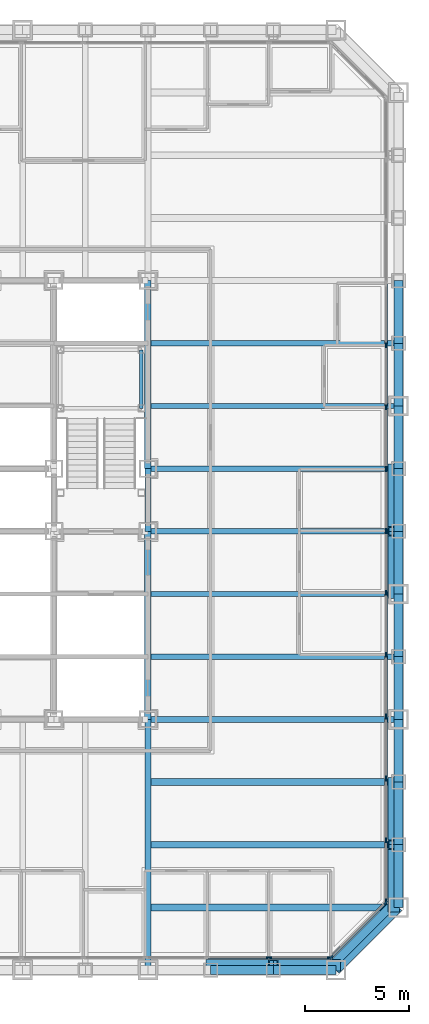
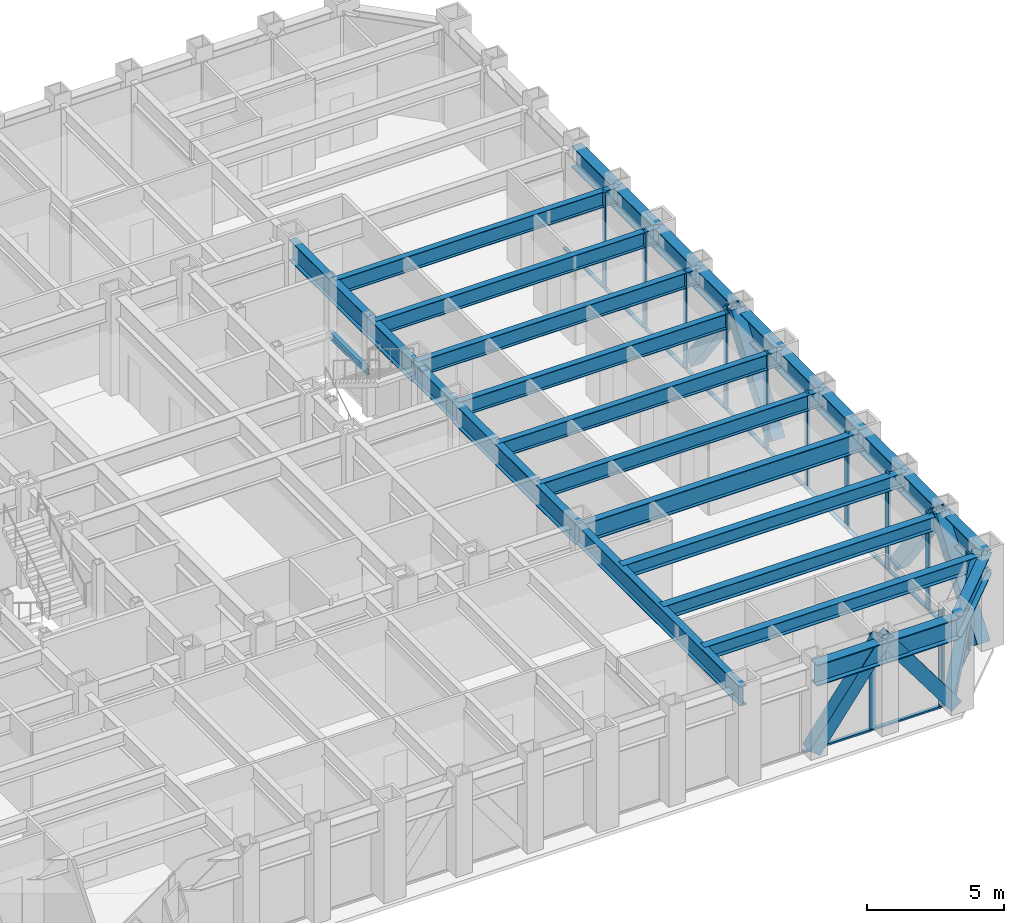
# One storey, part 4 of 16: 34 members, 28 beams, 3 elements without a shape of their own.
"""IFC4 building model written with IfcOpenShell, lengths in metres."""

from ifc_helpers import new_model, si_unit, direction, frame, origin, origin_2d, place, context, subcontext, project, spatial, rectangle, hollow_rectangle, i_section, extrude, material, layer, layer_set, material_profile, profile_set, type_object, element, aggregate, save


model = new_model("IFC4")

# Units and contexts
model_context = context("Model", 3, precision=1e-05, world=origin(), true_north=direction((0.0, 1.0)))
body_context = subcontext(model_context, "Body", "Model", "MODEL_VIEW")
ifc_project = project(units=[si_unit("LENGTHUNIT", "METRE"), si_unit("AREAUNIT", "SQUARE_METRE"), si_unit("VOLUMEUNIT", "CUBIC_METRE"), si_unit("PLANEANGLEUNIT", "RADIAN"), si_unit("MASSUNIT", "GRAM", prefix="KILO")], contexts=[model_context])

# Site, building, storey
site_placement = place(None, origin())
site = spatial("IfcSite", under=ifc_project, at=site_placement, CompositionType="ELEMENT")
building_placement = place(site_placement, origin())
building = spatial("IfcBuilding", under=site, at=building_placement, Name="Chuquiago Exchange Tower", CompositionType="ELEMENT")
storey_placement = place(building_placement, frame((0.0, 0.0, 55.800048828125)))
storey = spatial("IfcBuildingStorey", under=building, at=storey_placement, Name="L11", CompositionType="ELEMENT", Elevation=55.800048828125)

# Beams
ifc_material_1 = material(Name="Steel ASTM A992", Category="steel")
ifc_material_profile_1 = material_profile(ifc_material_1, i_section(OverallWidth=0.307373046875, OverallDepth=0.927001953125, WebThickness=0.01953125, FlangeThickness=0.031982421875, at=origin_2d()), Name="W36X194")
ifc_profile_set_1 = profile_set([ifc_material_profile_1], Name="Steel ASTM A992")
beam_type_1 = type_object("IfcBeamType", Name="B10 W36X194", PredefinedType="BEAM", material=ifc_profile_set_1)
for number, where, z_axis, x_axis, name in (
    (1, (33.0, 12.0, 3.576416015625), (0.0, 1.0, 0.0), (-1.0, 0.0, 0.0), "CB-L12-33_12-33_21"),
    (2, (33.0, 24.0, 3.576416015625), (0.0, 1.0, 0.0), (-1.0, 0.0, 0.0), "CB-L12-33_24-33_33"),
):
    element("IfcBeam", number, at=place(storey_placement, frame(where, z_axis=z_axis, x_axis=x_axis)), inside=storey, type_object=beam_type_1, Name=name, PredefinedType="BEAM", context=body_context, shape_type="SweptSolid", body=[
        extrude(i_section(OverallWidth=0.307373046875, OverallDepth=0.927001953125, WebThickness=0.01953125, FlangeThickness=0.031982421875, at=origin_2d()), origin(), (0.0, 0.0, 1.0), 9.0),
    ])
ifc_material_2 = material(Name="Steel ASTM A992", Category="steel")
ifc_material_profile_2 = material_profile(ifc_material_2, i_section(OverallWidth=0.2919921875, OverallDepth=0.8583984375, WebThickness=0.01708984375, FlangeThickness=0.031005859375, at=origin_2d()), Name="W33X169")
ifc_profile_set_2 = profile_set([ifc_material_profile_2], Name="Steel ASTM A992")
beam_type_2 = type_object("IfcBeamType", Name="B3 W33X169", PredefinedType="BEAM", material=ifc_profile_set_2)
beam_1_placement = place(storey_placement, frame((33.0, 21.0, 3.610595703125), z_axis=(0.0, 1.0, 0.0), x_axis=(-1.0, 0.0, 0.0)))
element("IfcBeam", 3, at=beam_1_placement, inside=storey, type_object=beam_type_2, Name="CB-L12-33_21-33_24", PredefinedType="BEAM", context=body_context, shape_type="SweptSolid", body=[
    extrude(i_section(OverallWidth=0.2919921875, OverallDepth=0.8583984375, WebThickness=0.01708984375, FlangeThickness=0.031005859375, at=origin_2d()), origin(), (0.0, 0.0, 1.0), 3.0),
])
ifc_material_3 = material(Name="Steel ASTM A992", Category="steel")
ifc_material_profile_3 = material_profile(ifc_material_3, i_section(OverallWidth=0.256591796875, OverallDepth=0.693359375, WebThickness=0.014404296875, FlangeThickness=0.023681640625, at=origin_2d()), Name="W27X114")
ifc_profile_set_3 = profile_set([ifc_material_profile_3], Name="Steel ASTM A992")
beam_type_3 = type_object("IfcBeamType", Name="B4 W27X114", PredefinedType="BEAM", material=ifc_profile_set_3)
for number, where, z_axis, x_axis, name in (
    (4, (33.0, 15.0, 3.693359375), (1.0, 0.0, 0.0), (0.0, 1.0, 0.0), "FB-L12-infill-33_15-45_15-0"),
    (5, (33.0, 18.0, 3.693359375), (1.0, 0.0, 0.0), (0.0, 1.0, 0.0), "FB-L12-infill-33_18-45_18-0"),
    (6, (33.0, 21.0, 3.693359375), (1.0, 0.0, 0.0), (0.0, 1.0, 0.0), "FB-L12-infill-33_21-45_21-0"),
    (7, (33.0, 24.0, 3.693359375), (1.0, 0.0, 0.0), (0.0, 1.0, 0.0), "FB-L12-infill-33_24-45_24-0"),
    (8, (33.0, 27.0, 3.693359375), (1.0, 0.0, 0.0), (0.0, 1.0, 0.0), "FB-L12-infill-33_27-45_27-0"),
    (9, (33.0, 30.0, 3.693359375), (1.0, 0.0, 0.0), (0.0, 1.0, 0.0), "FB-L12-infill-33_30-45_30-0"),
):
    element("IfcBeam", number, at=place(storey_placement, frame(where, z_axis=z_axis, x_axis=x_axis)), inside=storey, type_object=beam_type_3, Name=name, PredefinedType="BEAM", context=body_context, shape_type="SweptSolid", body=[
        extrude(i_section(OverallWidth=0.256591796875, OverallDepth=0.693359375, WebThickness=0.014404296875, FlangeThickness=0.023681640625, at=origin_2d()), origin(), (0.0, 0.0, 1.0), 12.0),
    ])
ifc_material_4 = material(Name="Steel ASTM A992", Category="steel")
ifc_material_profile_4 = material_profile(ifc_material_4, i_section(OverallWidth=0.3251953125, OverallDepth=0.6171875, WebThickness=0.013916015625, FlangeThickness=0.021484375, at=origin_2d()), Name="W24X117")
ifc_profile_set_4 = profile_set([ifc_material_profile_4], Name="Steel ASTM A992")
beam_type_4 = type_object("IfcBeamType", Name="B5 W24X117", PredefinedType="BEAM", material=ifc_profile_set_4)
for number, where, z_axis, x_axis, name in (
    (10, (33.0, 3.0, 3.7314453125), (1.0, 0.0, 0.0), (0.0, 1.0, 0.0), "FB-L12-corner-33_3-45_3-0"),
    (11, (33.0, 6.0, 3.7314453125), (1.0, 0.0, 0.0), (0.0, 1.0, 0.0), "FB-L12-corner-33_6-45_6-0"),
    (12, (33.0, 9.0, 3.7314453125), (1.0, 0.0, 0.0), (0.0, 1.0, 0.0), "FB-L12-corner-33_9-45_9-0"),
):
    element("IfcBeam", number, at=place(storey_placement, frame(where, z_axis=z_axis, x_axis=x_axis)), inside=storey, type_object=beam_type_4, Name=name, PredefinedType="BEAM", context=body_context, shape_type="SweptSolid", body=[
        extrude(i_section(OverallWidth=0.3251953125, OverallDepth=0.6171875, WebThickness=0.013916015625, FlangeThickness=0.021484375, at=origin_2d()), origin(), (0.0, 0.0, 1.0), 12.0),
    ])

# Curtain wall, members
ifc_material_5 = material(Name="Aluminium curtain wall system", Category="aluminium")
ifc_layer_1 = layer(ifc_material_5, 0.25)
ifc_layer_set_1 = layer_set([ifc_layer_1], Name="CW1 trading floor curtain wall")
curtain_wall_type_1 = type_object("IfcCurtainWallType", Name="CW1 trading floor curtain wall", PredefinedType="NOTDEFINED", material=ifc_layer_set_1)
curtain_wall_1_placement = place(storey_placement, origin())
curtain_wall_1 = element("IfcCurtainWall", 13, at=curtain_wall_1_placement, inside=storey, type_object=curtain_wall_type_1, Name="CW1 curtain wall L11", PredefinedType="NOTDEFINED")
ifc_material_6 = material(Name="Aluminium mullion, pale anodised", Category="aluminium")
ifc_material_profile_5 = material_profile(ifc_material_6, rectangle(XDim=0.074951171875, YDim=0.25, at=origin_2d()), Name="AL 75x250")
ifc_profile_set_5 = profile_set([ifc_material_profile_5], Name="Aluminium mullion, pale anodised")
member_type_1 = type_object("IfcMemberType", Name="CW1-M mullion 75x250", PredefinedType="MULLION", material=ifc_profile_set_5)
member_1_placement = place(storey_placement, frame((38.789794921875, 0.60009765625, -0.300048828125), z_axis=(0.0, 0.0, 1.0), x_axis=(0.0, 1.0, 0.0)))
member_1 = element("IfcMember", 14, at=member_1_placement, type_object=member_type_1, Name="CW1 mullion 13", PredefinedType="MULLION", context=body_context, shape_type="SweptSolid", body=[
    extrude(rectangle(XDim=0.074951171875, YDim=0.25, at=origin_2d()), origin(), (0.0, 0.0, 1.0), 4.340087890625),
])
member_2_placement = place(storey_placement, frame((41.714111328125, 0.60009765625, -0.300048828125), z_axis=(0.0, 0.0, 1.0), x_axis=(0.0, 1.0, 0.0)))
member_2 = element("IfcMember", 15, at=member_2_placement, type_object=member_type_1, Name="CW1 mullion 14", PredefinedType="MULLION", context=body_context, shape_type="SweptSolid", body=[
    extrude(rectangle(XDim=0.074951171875, YDim=0.25, at=origin_2d()), origin(), (0.0, 0.0, 1.0), 4.340087890625),
])

curtain_wall_2_placement = place(storey_placement, origin())
curtain_wall_2 = element("IfcCurtainWall", 16, at=curtain_wall_2_placement, inside=storey, type_object=curtain_wall_type_1, Name="CW1 curtain wall L11", PredefinedType="NOTDEFINED")
member_3_placement = place(storey_placement, frame((44.39990234375, 3.285888671875, -0.300048828125), z_axis=(0.0, 0.0, 1.0), x_axis=(-1.0, 0.0, 0.0)))
member_3 = element("IfcMember", 17, at=member_3_placement, type_object=member_type_1, Name="CW1 mullion 1", PredefinedType="MULLION", context=body_context, shape_type="SweptSolid", body=[
    extrude(rectangle(XDim=0.074951171875, YDim=0.25, at=origin_2d()), origin(), (0.0, 0.0, 1.0), 4.340087890625),
])
member_4_placement = place(storey_placement, frame((44.39990234375, 6.210205078125, -0.300048828125), z_axis=(0.0, 0.0, 1.0), x_axis=(-1.0, 0.0, 0.0)))
member_4 = element("IfcMember", 18, at=member_4_placement, type_object=member_type_1, Name="CW1 mullion 2", PredefinedType="MULLION", context=body_context, shape_type="SweptSolid", body=[
    extrude(rectangle(XDim=0.074951171875, YDim=0.25, at=origin_2d()), origin(), (0.0, 0.0, 1.0), 4.340087890625),
])
member_5_placement = place(storey_placement, frame((44.39990234375, 9.172119140625, -0.300048828125), z_axis=(0.0, 0.0, 1.0), x_axis=(-1.0, 0.0, 0.0)))
member_5 = element("IfcMember", 19, at=member_5_placement, type_object=member_type_1, Name="CW1 mullion 3", PredefinedType="MULLION", context=body_context, shape_type="SweptSolid", body=[
    extrude(rectangle(XDim=0.074951171875, YDim=0.25, at=origin_2d()), origin(), (0.0, 0.0, 1.0), 4.340087890625),
])
member_6_placement = place(storey_placement, frame((44.39990234375, 12.1337890625, -0.300048828125), z_axis=(0.0, 0.0, 1.0), x_axis=(-1.0, 0.0, 0.0)))
member_6 = element("IfcMember", 20, at=member_6_placement, type_object=member_type_1, Name="CW1 mullion 4", PredefinedType="MULLION", context=body_context, shape_type="SweptSolid", body=[
    extrude(rectangle(XDim=0.074951171875, YDim=0.25, at=origin_2d()), origin(), (0.0, 0.0, 1.0), 4.340087890625),
])
member_7_placement = place(storey_placement, frame((44.39990234375, 15.095458984375, -0.300048828125), z_axis=(0.0, 0.0, 1.0), x_axis=(-1.0, 0.0, 0.0)))
member_7 = element("IfcMember", 21, at=member_7_placement, type_object=member_type_1, Name="CW1 mullion 5", PredefinedType="MULLION", context=body_context, shape_type="SweptSolid", body=[
    extrude(rectangle(XDim=0.074951171875, YDim=0.25, at=origin_2d()), origin(), (0.0, 0.0, 1.0), 4.340087890625),
])
member_8_placement = place(storey_placement, frame((44.39990234375, 18.057373046875, -0.300048828125), z_axis=(0.0, 0.0, 1.0), x_axis=(-1.0, 0.0, 0.0)))
member_8 = element("IfcMember", 22, at=member_8_placement, type_object=member_type_1, Name="CW1 mullion 6", PredefinedType="MULLION", context=body_context, shape_type="SweptSolid", body=[
    extrude(rectangle(XDim=0.074951171875, YDim=0.25, at=origin_2d()), origin(), (0.0, 0.0, 1.0), 4.340087890625),
])
member_9_placement = place(storey_placement, frame((44.39990234375, 21.01904296875, -0.300048828125), z_axis=(0.0, 0.0, 1.0), x_axis=(-1.0, 0.0, 0.0)))
member_9 = element("IfcMember", 23, at=member_9_placement, type_object=member_type_1, Name="CW1 mullion 7", PredefinedType="MULLION", context=body_context, shape_type="SweptSolid", body=[
    extrude(rectangle(XDim=0.074951171875, YDim=0.25, at=origin_2d()), origin(), (0.0, 0.0, 1.0), 4.340087890625),
])
member_10_placement = place(storey_placement, frame((44.39990234375, 23.98095703125, -0.300048828125), z_axis=(0.0, 0.0, 1.0), x_axis=(-1.0, 0.0, 0.0)))
member_10 = element("IfcMember", 24, at=member_10_placement, type_object=member_type_1, Name="CW1 mullion 8", PredefinedType="MULLION", context=body_context, shape_type="SweptSolid", body=[
    extrude(rectangle(XDim=0.074951171875, YDim=0.25, at=origin_2d()), origin(), (0.0, 0.0, 1.0), 4.340087890625),
])
member_11_placement = place(storey_placement, frame((44.39990234375, 26.942626953125, -0.300048828125), z_axis=(0.0, 0.0, 1.0), x_axis=(-1.0, 0.0, 0.0)))
member_11 = element("IfcMember", 25, at=member_11_placement, type_object=member_type_1, Name="CW1 mullion 9", PredefinedType="MULLION", context=body_context, shape_type="SweptSolid", body=[
    extrude(rectangle(XDim=0.074951171875, YDim=0.25, at=origin_2d()), origin(), (0.0, 0.0, 1.0), 4.340087890625),
])
member_12_placement = place(storey_placement, frame((44.39990234375, 29.904541015625, -0.300048828125), z_axis=(0.0, 0.0, 1.0), x_axis=(-1.0, 0.0, 0.0)))
member_12 = element("IfcMember", 26, at=member_12_placement, type_object=member_type_1, Name="CW1 mullion 10", PredefinedType="MULLION", context=body_context, shape_type="SweptSolid", body=[
    extrude(rectangle(XDim=0.074951171875, YDim=0.25, at=origin_2d()), origin(), (0.0, 0.0, 1.0), 4.340087890625),
])

# Member
ifc_material_7 = material(Name="Aluminium transom, pale anodised", Category="aluminium")
ifc_material_profile_6 = material_profile(ifc_material_7, rectangle(XDim=0.14990234375, YDim=0.074951171875, at=origin_2d()), Name="AL 150x75")
ifc_profile_set_6 = profile_set([ifc_material_profile_6], Name="Aluminium transom, pale anodised")
member_type_2 = type_object("IfcMemberType", Name="CW1-T transom 75x150", PredefinedType="MULLION", material=ifc_profile_set_6)
member_13_placement = place(storey_placement, frame((35.865478515625, 0.60009765625, -0.262451171875), z_axis=(1.0, 0.0, 0.0), x_axis=(0.0, 1.0, 0.0)))
member_13 = element("IfcMember", 27, at=member_13_placement, type_object=member_type_2, Name="CW1 transom 12.1", PredefinedType="MULLION", context=body_context, shape_type="SweptSolid", body=[
    extrude(rectangle(XDim=0.14990234375, YDim=0.074951171875, at=origin_2d()), origin(), (0.0, 0.0, 1.0), 2.88671875),
])

member_14_placement = place(storey_placement, frame((38.8271484375, 0.60009765625, -0.262451171875), z_axis=(1.0, 0.0, 0.0), x_axis=(0.0, 1.0, 0.0)))
member_14 = element("IfcMember", 28, at=member_14_placement, type_object=member_type_2, Name="CW1 transom 13.1", PredefinedType="MULLION", context=body_context, shape_type="SweptSolid", body=[
    extrude(rectangle(XDim=0.14990234375, YDim=0.074951171875, at=origin_2d()), origin(), (0.0, 0.0, 1.0), 2.849365234375),
])

aggregate(curtain_wall_1, [member_1, member_2, member_13, member_14])

member_15_placement = place(storey_placement, frame((44.39990234375, 3.323486328125, -0.262451171875), z_axis=(0.0, 1.0, 0.0), x_axis=(-1.0, 0.0, 0.0)))
member_15 = element("IfcMember", 29, at=member_15_placement, type_object=member_type_2, Name="CW1 transom 1.1", PredefinedType="MULLION", context=body_context, shape_type="SweptSolid", body=[
    extrude(rectangle(XDim=0.14990234375, YDim=0.074951171875, at=origin_2d()), origin(), (0.0, 0.0, 1.0), 2.849365234375),
])

member_16_placement = place(storey_placement, frame((44.39990234375, 6.247802734375, -0.262451171875), z_axis=(0.0, 1.0, 0.0), x_axis=(-1.0, 0.0, 0.0)))
member_16 = element("IfcMember", 30, at=member_16_placement, type_object=member_type_2, Name="CW1 transom 2.1", PredefinedType="MULLION", context=body_context, shape_type="SweptSolid", body=[
    extrude(rectangle(XDim=0.14990234375, YDim=0.074951171875, at=origin_2d()), origin(), (0.0, 0.0, 1.0), 2.88671875),
])

member_17_placement = place(storey_placement, frame((44.39990234375, 9.20947265625, -0.262451171875), z_axis=(0.0, 1.0, 0.0), x_axis=(-1.0, 0.0, 0.0)))
member_17 = element("IfcMember", 31, at=member_17_placement, type_object=member_type_2, Name="CW1 transom 3.1", PredefinedType="MULLION", context=body_context, shape_type="SweptSolid", body=[
    extrude(rectangle(XDim=0.14990234375, YDim=0.074951171875, at=origin_2d()), origin(), (0.0, 0.0, 1.0), 2.88671875),
])

member_18_placement = place(storey_placement, frame((44.39990234375, 12.17138671875, -0.262451171875), z_axis=(0.0, 1.0, 0.0), x_axis=(-1.0, 0.0, 0.0)))
member_18 = element("IfcMember", 32, at=member_18_placement, type_object=member_type_2, Name="CW1 transom 4.1", PredefinedType="MULLION", context=body_context, shape_type="SweptSolid", body=[
    extrude(rectangle(XDim=0.14990234375, YDim=0.074951171875, at=origin_2d()), origin(), (0.0, 0.0, 1.0), 2.88671875),
])

member_19_placement = place(storey_placement, frame((44.39990234375, 15.133056640625, -0.262451171875), z_axis=(0.0, 1.0, 0.0), x_axis=(-1.0, 0.0, 0.0)))
member_19 = element("IfcMember", 33, at=member_19_placement, type_object=member_type_2, Name="CW1 transom 5.1", PredefinedType="MULLION", context=body_context, shape_type="SweptSolid", body=[
    extrude(rectangle(XDim=0.14990234375, YDim=0.074951171875, at=origin_2d()), origin(), (0.0, 0.0, 1.0), 2.88671875),
])

member_20_placement = place(storey_placement, frame((44.39990234375, 18.0947265625, -0.262451171875), z_axis=(0.0, 1.0, 0.0), x_axis=(-1.0, 0.0, 0.0)))
member_20 = element("IfcMember", 34, at=member_20_placement, type_object=member_type_2, Name="CW1 transom 6.1", PredefinedType="MULLION", context=body_context, shape_type="SweptSolid", body=[
    extrude(rectangle(XDim=0.14990234375, YDim=0.074951171875, at=origin_2d()), origin(), (0.0, 0.0, 1.0), 2.886962890625),
])

member_21_placement = place(storey_placement, frame((44.39990234375, 21.056640625, -0.262451171875), z_axis=(0.0, 1.0, 0.0), x_axis=(-1.0, 0.0, 0.0)))
member_21 = element("IfcMember", 35, at=member_21_placement, type_object=member_type_2, Name="CW1 transom 7.1", PredefinedType="MULLION", context=body_context, shape_type="SweptSolid", body=[
    extrude(rectangle(XDim=0.14990234375, YDim=0.074951171875, at=origin_2d()), origin(), (0.0, 0.0, 1.0), 2.88671875),
])

member_22_placement = place(storey_placement, frame((44.39990234375, 24.018310546875, -0.262451171875), z_axis=(0.0, 1.0, 0.0), x_axis=(-1.0, 0.0, 0.0)))
member_22 = element("IfcMember", 36, at=member_22_placement, type_object=member_type_2, Name="CW1 transom 8.1", PredefinedType="MULLION", context=body_context, shape_type="SweptSolid", body=[
    extrude(rectangle(XDim=0.14990234375, YDim=0.074951171875, at=origin_2d()), origin(), (0.0, 0.0, 1.0), 2.886962890625),
])

member_23_placement = place(storey_placement, frame((44.39990234375, 26.980224609375, -0.262451171875), z_axis=(0.0, 1.0, 0.0), x_axis=(-1.0, 0.0, 0.0)))
member_23 = element("IfcMember", 37, at=member_23_placement, type_object=member_type_2, Name="CW1 transom 9.1", PredefinedType="MULLION", context=body_context, shape_type="SweptSolid", body=[
    extrude(rectangle(XDim=0.14990234375, YDim=0.074951171875, at=origin_2d()), origin(), (0.0, 0.0, 1.0), 2.88671875),
])

member_24_placement = place(storey_placement, frame((44.39990234375, 29.94189453125, -0.262451171875), z_axis=(0.0, 1.0, 0.0), x_axis=(-1.0, 0.0, 0.0)))
member_24 = element("IfcMember", 38, at=member_24_placement, type_object=member_type_2, Name="CW1 transom 10.1", PredefinedType="MULLION", context=body_context, shape_type="SweptSolid", body=[
    extrude(rectangle(XDim=0.14990234375, YDim=0.074951171875, at=origin_2d()), origin(), (0.0, 0.0, 1.0), 2.88671875),
])

aggregate(curtain_wall_2, [member_3, member_4, member_5, member_6, member_7, member_8, member_9, member_10, member_11, member_12, member_15, member_16, member_17, member_18, member_19, member_20, member_21, member_22, member_23, member_24])

# Curtain wall, members
ifc_material_8 = material(Name="Aluminium curtain wall system", Category="aluminium")
ifc_layer_2 = layer(ifc_material_8, 0.199951171875)
ifc_layer_set_2 = layer_set([ifc_layer_2], Name="CW3 facet curtain wall")
curtain_wall_type_2 = type_object("IfcCurtainWallType", Name="CW3 facet curtain wall", PredefinedType="NOTDEFINED", material=ifc_layer_set_2)
curtain_wall_3_placement = place(storey_placement, origin())
curtain_wall_3 = element("IfcCurtainWall", 39, at=curtain_wall_3_placement, inside=storey, type_object=curtain_wall_type_2, Name="CW3 curtain wall L11", PredefinedType="NOTDEFINED")
ifc_material_9 = material(Name="Aluminium mullion, pale anodised", Category="aluminium")
ifc_material_profile_7 = material_profile(ifc_material_9, rectangle(XDim=0.06494140625, YDim=0.199951171875, at=origin_2d()), Name="AL 65x200")
ifc_profile_set_7 = profile_set([ifc_material_profile_7], Name="Aluminium mullion, pale anodised")
member_type_3 = type_object("IfcMemberType", Name="CW3-M mullion 65x200", PredefinedType="MULLION", material=ifc_profile_set_7)
member_25_placement = place(storey_placement, frame((41.7744140625, 0.623046875, -0.300048828125), z_axis=(0.0, 0.0, 1.0), x_axis=(-0.707106781187, 0.707106781187, 0.0)))
member_25 = element("IfcMember", 40, at=member_25_placement, type_object=member_type_3, Name="CW3 mullion 1", PredefinedType="MULLION", context=body_context, shape_type="SweptSolid", body=[
    extrude(rectangle(XDim=0.06494140625, YDim=0.199951171875, at=origin_2d()), origin(), (0.0, 0.0, 1.0), 4.340087890625),
])
member_26_placement = place(storey_placement, frame((44.376953125, 3.2255859375, -0.300048828125), z_axis=(0.0, 0.0, 1.0), x_axis=(-0.707106781187, 0.707106781187, 0.0)))
member_26 = element("IfcMember", 41, at=member_26_placement, type_object=member_type_3, Name="CW3 mullion 2", PredefinedType="MULLION", context=body_context, shape_type="SweptSolid", body=[
    extrude(rectangle(XDim=0.06494140625, YDim=0.199951171875, at=origin_2d()), origin(), (0.0, 0.0, 1.0), 4.340087890625),
])
ifc_material_10 = material(Name="Aluminium transom, pale anodised", Category="aluminium")
ifc_material_profile_8 = material_profile(ifc_material_10, rectangle(XDim=0.139892578125, YDim=0.06494140625, at=origin_2d()), Name="AL 140x65")
ifc_profile_set_8 = profile_set([ifc_material_profile_8], Name="Aluminium transom, pale anodised")
member_type_4 = type_object("IfcMemberType", Name="CW3-T transom 65x140", PredefinedType="MULLION", material=ifc_profile_set_8)
member_27_placement = place(storey_placement, frame((41.79736328125, 0.64599609375, -0.267578125), z_axis=(0.707106781187, 0.707106781187, 0.0), x_axis=(-0.707106781187, 0.707106781187, 0.0)))
member_27 = element("IfcMember", 42, at=member_27_placement, type_object=member_type_4, Name="CW3 transom 1.1", PredefinedType="MULLION", context=body_context, shape_type="SweptSolid", body=[
    extrude(rectangle(XDim=0.139892578125, YDim=0.06494140625, at=origin_2d()), origin(), (0.0, 0.0, 1.0), 3.61572265625),
])
aggregate(curtain_wall_3, [member_25, member_26, member_27])

# Beams
ifc_material_11 = material(Name="Steel ASTM A992", Category="steel")
ifc_material_profile_9 = material_profile(ifc_material_11, i_section(OverallWidth=0.2919921875, OverallDepth=0.8583984375, WebThickness=0.01708984375, FlangeThickness=0.031005859375, at=origin_2d()), Name="W33X169")
ifc_profile_set_9 = profile_set([ifc_material_profile_9], Name="Steel ASTM A992")
beam_type_5 = type_object("IfcBeamType", Name="G2 W33X169", PredefinedType="BEAM", material=ifc_profile_set_9)
for number, where, z_axis, x_axis, name in (
    (43, (33.0, 12.0, 3.610595703125), (0.0, -1.0, 0.0), (1.0, 0.0, 0.0), "FB-L12-girder-33_12-33_-0-0"),
    (44, (33.0, 12.0, 3.610595703125), (1.0, 0.0, 0.0), (0.0, 1.0, 0.0), "FB-L12-girder-33_12-45_12-0"),
):
    element("IfcBeam", number, at=place(storey_placement, frame(where, z_axis=z_axis, x_axis=x_axis)), inside=storey, type_object=beam_type_5, Name=name, PredefinedType="BEAM", context=body_context, shape_type="SweptSolid", body=[
        extrude(i_section(OverallWidth=0.2919921875, OverallDepth=0.8583984375, WebThickness=0.01708984375, FlangeThickness=0.031005859375, at=origin_2d()), origin(), (0.0, 0.0, 1.0), 12.0),
    ])

# Member
ifc_material_12 = material(Name="Steel ASTM A500 Grade C", Category="steel")
ifc_material_profile_10 = material_profile(ifc_material_12, hollow_rectangle(XDim=0.406494140625, YDim=0.406494140625, WallThickness=0.0146484375, at=origin_2d()), Name="HSS16X16X5/8")
ifc_profile_set_10 = profile_set([ifc_material_profile_10], Name="Steel ASTM A500 Grade C")
member_type_5 = type_object("IfcMemberType", Name="LB4 HSS16X16X5/8", PredefinedType="BRACE", material=ifc_profile_set_10)
member_28_placement = place(storey_placement, frame((41.78662109375, 0.21337890625, 0.0), z_axis=(0.512077265487, 0.512077265487, 0.689604051861), x_axis=(-0.707106781187, 0.707106781187, 0.0)))
element("IfcMember", 45, at=member_28_placement, inside=storey, type_object=member_type_5, Name="LB-L11-42_0-45_3", PredefinedType="BRACE", context=body_context, shape_type="SweptSolid", body=[
    extrude(hollow_rectangle(XDim=0.406494140625, YDim=0.406494140625, WallThickness=0.0146484375, at=origin_2d()), origin(), (0.0, 0.0, 1.0), 5.8583984375),
])

# Beam
ifc_material_13 = material(Name="Steel ASTM A992", Category="steel")
ifc_material_profile_11 = material_profile(ifc_material_13, i_section(OverallWidth=0.164794921875, OverallDepth=0.309814453125, WebThickness=0.005859375, FlangeThickness=0.009765625, at=origin_2d()), Name="W12X26")
ifc_profile_set_11 = profile_set([ifc_material_profile_11], Name="Steel ASTM A992")
beam_type_6 = type_object("IfcBeamType", Name="LS1 W12X26", PredefinedType="BEAM", material=ifc_profile_set_11)
beam_2_placement = place(storey_placement, frame((32.68994140625, 26.889892578125, 1.89501953125), z_axis=(0.0, 1.0, 0.0), x_axis=(-1.0, 0.0, 0.0)))
element("IfcBeam", 46, at=beam_2_placement, inside=storey, type_object=beam_type_6, Name="Stair ST2 L11 landing 1 stringer", PredefinedType="BEAM", context=body_context, shape_type="SweptSolid", body=[
    extrude(i_section(OverallWidth=0.164794921875, OverallDepth=0.309814453125, WebThickness=0.005859375, FlangeThickness=0.009765625, at=origin_2d()), origin(), (0.0, 0.0, 1.0), 2.800048828125),
])

# Members
ifc_material_14 = material(Name="Steel ASTM A572 Grade 50", Category="steel")
ifc_material_profile_12 = material_profile(ifc_material_14, hollow_rectangle(XDim=0.550048828125, YDim=0.550048828125, WallThickness=0.044921875, at=origin_2d()), Name="BOX550X550X45")
ifc_profile_set_12 = profile_set([ifc_material_profile_12], Name="Steel ASTM A572 Grade 50")
member_type_6 = type_object("IfcMemberType", Name="MB1 BOX550X550X45", PredefinedType="BRACE", material=ifc_profile_set_12)
for number, where, z_axis, x_axis, name in (
    (47, (36.0, 0.22998046875, 0.0), (0.596173923302, 0.0, 0.802855312728), (0.0, 1.0, 0.0), "Mega diagonal L11 S face"),
    (48, (42.0, 0.22998046875, 0.0), (-0.596173923302, 0.0, 0.802855312728), (0.0, -1.0, 0.0), "Mega diagonal L11 S face"),
    (49, (44.77001953125, 3.0, 0.0), (0.0, 0.596173923302, 0.802855312728), (-1.0, 0.0, 0.0), "Mega diagonal L11 E face"),
    (50, (44.77001953125, 9.0, 0.0), (0.0, -0.596173923302, 0.802855312728), (1.0, 0.0, 0.0), "Mega diagonal L11 E face"),
    (51, (44.77001953125, 18.0, 0.0), (0.0, 0.596173923302, 0.802855312728), (-1.0, 0.0, 0.0), "Mega diagonal L11 E face"),
    (52, (44.77001953125, 24.0, 0.0), (0.0, -0.596173923302, 0.802855312728), (1.0, 0.0, 0.0), "Mega diagonal L11 E face"),
):
    element("IfcMember", number, at=place(storey_placement, frame(where, z_axis=z_axis, x_axis=x_axis)), inside=storey, type_object=member_type_6, Name=name, PredefinedType="BRACE", context=body_context, shape_type="SweptSolid", body=[
        extrude(hollow_rectangle(XDim=0.550048828125, YDim=0.550048828125, WallThickness=0.044921875, at=origin_2d()), origin(), (0.0, 0.0, 1.0), 5.031982421875),
    ])

# Beams
ifc_material_15 = material(Name="Steel ASTM A992", Category="steel")
ifc_material_profile_13 = material_profile(ifc_material_15, i_section(OverallWidth=0.424072265625, OverallDepth=0.947509765625, WebThickness=0.02392578125, FlangeThickness=0.042724609375, at=origin_2d()), Name="W36X302")
ifc_profile_set_13 = profile_set([ifc_material_profile_13], Name="Steel ASTM A992")
beam_type_7 = type_object("IfcBeamType", Name="SP1 W36X302", PredefinedType="SPANDREL", material=ifc_profile_set_13)
for number, where, z_axis, x_axis, name in (
    (53, (36.0, 0.0, 3.566162109375), (1.0, 0.0, 0.0), (0.0, 1.0, 0.0), "SPB-L12-36_0-39_0"),
    (54, (39.0, 0.0, 3.566162109375), (1.0, 0.0, 0.0), (0.0, 1.0, 0.0), "SPB-L12-39_0-42_0"),
):
    element("IfcBeam", number, at=place(storey_placement, frame(where, z_axis=z_axis, x_axis=x_axis)), inside=storey, type_object=beam_type_7, Name=name, PredefinedType="SPANDREL", context=body_context, shape_type="SweptSolid", body=[
        extrude(i_section(OverallWidth=0.424072265625, OverallDepth=0.947509765625, WebThickness=0.02392578125, FlangeThickness=0.042724609375, at=origin_2d()), origin(), (0.0, 0.0, 1.0), 3.0),
    ])
beam_3_placement = place(storey_placement, frame((42.0, 0.0, 3.566162109375), z_axis=(0.707106781187, 0.707106781187, 0.0), x_axis=(-0.707106781187, 0.707106781187, 0.0)))
element("IfcBeam", 55, at=beam_3_placement, inside=storey, type_object=beam_type_7, Name="SPB-L12-42_0-45_3", PredefinedType="SPANDREL", context=body_context, shape_type="SweptSolid", body=[
    extrude(i_section(OverallWidth=0.424072265625, OverallDepth=0.947509765625, WebThickness=0.02392578125, FlangeThickness=0.042724609375, at=origin_2d()), origin(), (0.0, 0.0, 1.0), 4.24267578125),
])
for number, where, z_axis, x_axis, name in (
    (56, (45.0, 3.0, 3.566162109375), (0.0, 1.0, 0.0), (-1.0, 0.0, 0.0), "SPB-L12-45_3-45_6"),
    (57, (45.0, 6.0, 3.566162109375), (0.0, 1.0, 0.0), (-1.0, 0.0, 0.0), "SPB-L12-45_6-45_9"),
    (58, (45.0, 9.0, 3.566162109375), (0.0, 1.0, 0.0), (-1.0, 0.0, 0.0), "SPB-L12-45_9-45_12"),
    (59, (45.0, 12.0, 3.566162109375), (0.0, 1.0, 0.0), (-1.0, 0.0, 0.0), "SPB-L12-45_12-45_15"),
    (60, (45.0, 15.0, 3.566162109375), (0.0, 1.0, 0.0), (-1.0, 0.0, 0.0), "SPB-L12-45_15-45_18"),
    (61, (45.0, 18.0, 3.566162109375), (0.0, 1.0, 0.0), (-1.0, 0.0, 0.0), "SPB-L12-45_18-45_21"),
    (62, (45.0, 21.0, 3.566162109375), (0.0, 1.0, 0.0), (-1.0, 0.0, 0.0), "SPB-L12-45_21-45_24"),
    (63, (45.0, 24.0, 3.566162109375), (0.0, 1.0, 0.0), (-1.0, 0.0, 0.0), "SPB-L12-45_24-45_27"),
    (64, (45.0, 27.0, 3.566162109375), (0.0, 1.0, 0.0), (-1.0, 0.0, 0.0), "SPB-L12-45_27-45_30"),
    (65, (45.0, 30.0, 3.566162109375), (0.0, 1.0, 0.0), (-1.0, 0.0, 0.0), "SPB-L12-45_30-45_33"),
):
    element("IfcBeam", number, at=place(storey_placement, frame(where, z_axis=z_axis, x_axis=x_axis)), inside=storey, type_object=beam_type_7, Name=name, PredefinedType="SPANDREL", context=body_context, shape_type="SweptSolid", body=[
        extrude(i_section(OverallWidth=0.424072265625, OverallDepth=0.947509765625, WebThickness=0.02392578125, FlangeThickness=0.042724609375, at=origin_2d()), origin(), (0.0, 0.0, 1.0), 3.0),
    ])

save(model, "model.ifc")
